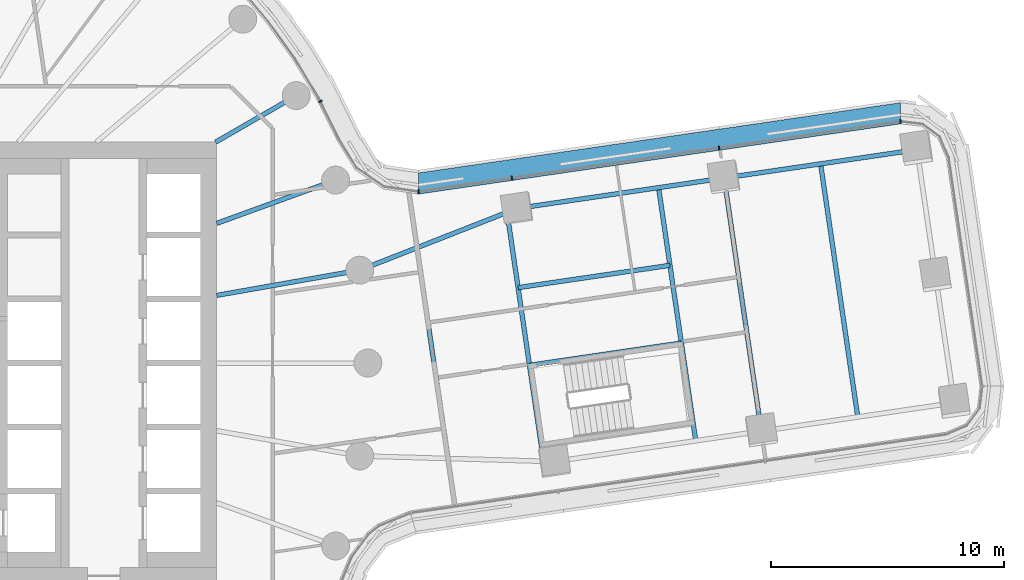
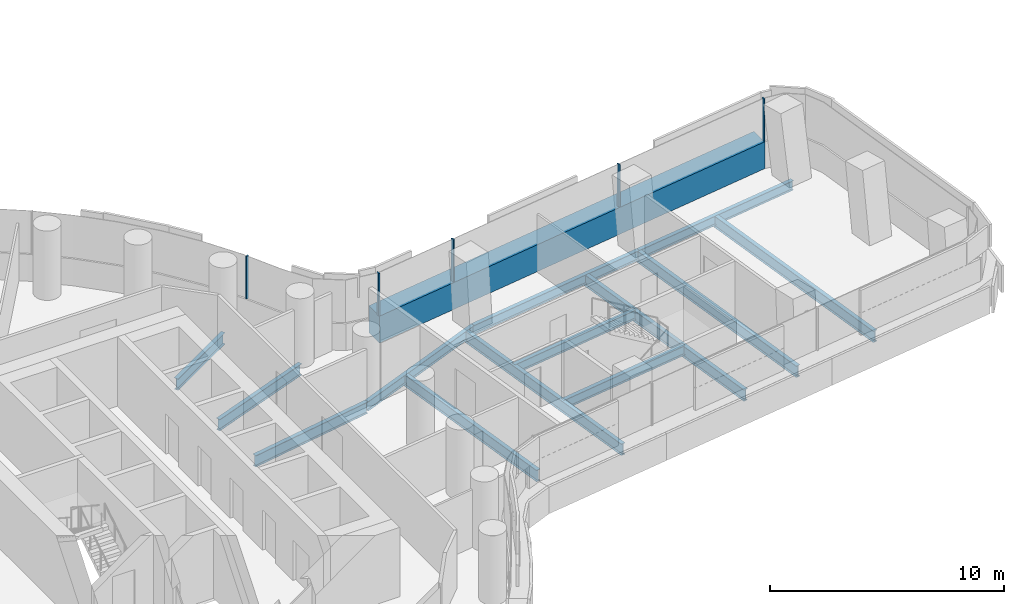
# One storey, part 11 of 31: 13 beams, 6 members, 2 elements without a shape of their own.
"""IFC4 building model written with IfcOpenShell, lengths in metres."""

from ifc_helpers import new_model, si_unit, direction, frame, origin, origin_2d, place, context, subcontext, project, spatial, polyline, rectangle, i_section, outline, extrude, material, layer, layer_set, material_profile, profile_set, type_object, element, aggregate, save


model = new_model("IFC4")

# Units and contexts
model_context = context("Model", 3, precision=1e-05, world=origin(), true_north=direction((0.0, 1.0)))
body_context = subcontext(model_context, "Body", "Model", "MODEL_VIEW")
ifc_project = project(units=[si_unit("LENGTHUNIT", "METRE"), si_unit("AREAUNIT", "SQUARE_METRE"), si_unit("VOLUMEUNIT", "CUBIC_METRE"), si_unit("PLANEANGLEUNIT", "RADIAN"), si_unit("MASSUNIT", "GRAM", prefix="KILO")], contexts=[model_context])

# Site, building, storey
site_placement = place(None, origin())
site = spatial("IfcSite", under=ifc_project, at=site_placement, CompositionType="ELEMENT")
building_placement = place(site_placement, origin())
building = spatial("IfcBuilding", under=site, at=building_placement, Name="Tamarind Cross Interchange Tower", CompositionType="ELEMENT")
storey_placement = place(building_placement, frame((0.0, 0.0, 64.0)))
storey = spatial("IfcBuildingStorey", under=building, at=storey_placement, Name="L14", CompositionType="ELEMENT", Elevation=64.0)

# Beams
ifc_material_1 = material(Name="Steel Q355B", Category="steel")
ifc_material_profile_1 = material_profile(ifc_material_1, i_section(OverallWidth=0.198974609375, OverallDepth=0.49609375, WebThickness=0.009033203125, FlangeThickness=0.013916015625, FilletRadius=0.012939453125, at=origin_2d()), Name="HN 496x199x9x14")
ifc_profile_set_1 = profile_set([ifc_material_profile_1], Name="Steel Q355B")
beam_type_1 = type_object("IfcBeamType", Name="Composite beam HN 496x199x9x14 Q355B", PredefinedType="BEAM", material=ifc_profile_set_1)
beam_1_placement = place(storey_placement, frame((46.6103515625, 9.175048828125, -0.387939453125), z_axis=(-0.989374789078, -0.145387505433, 0.0), x_axis=(0.145387505433, -0.989374789078, 0.0)))
element("IfcBeam", 1, at=beam_1_placement, inside=storey, type_object=beam_type_1, Name="Beam E-edgeep2", PredefinedType="BEAM", context=body_context, shape_type="SweptSolid", body=[
    extrude(i_section(OverallWidth=0.198974609375, OverallDepth=0.49609375, WebThickness=0.009033203125, FlangeThickness=0.013916015625, FilletRadius=0.012939453125, at=origin_2d()), origin(), (0.0, 0.0, 1.0), 8.3828125),
])
beam_2_placement = place(storey_placement, frame((38.316650390625, 7.956298828125, -0.387939453125), z_axis=(-0.989380715921, -0.14534716703, 0.0), x_axis=(0.14534716703, -0.989380715921, 0.0)))
element("IfcBeam", 2, at=beam_2_placement, inside=storey, type_object=beam_type_1, Name="Beam E-edgeep3", PredefinedType="BEAM", context=body_context, shape_type="SweptSolid", body=[
    extrude(i_section(OverallWidth=0.198974609375, OverallDepth=0.49609375, WebThickness=0.009033203125, FlangeThickness=0.013916015625, FilletRadius=0.012939453125, at=origin_2d()), origin(), (0.0, 0.0, 1.0), 8.999755859375),
])
beam_3_placement = place(storey_placement, frame((29.412353515625, 6.648193359375, -0.387939453125), z_axis=(-0.930849503248, -0.365402794602, 0.0), x_axis=(0.365402794602, -0.930849503248, 0.0)))
element("IfcBeam", 3, at=beam_3_placement, inside=storey, type_object=beam_type_1, Name="Beam E-linkep", PredefinedType="BEAM", context=body_context, shape_type="SweptSolid", body=[
    extrude(i_section(OverallWidth=0.198974609375, OverallDepth=0.49609375, WebThickness=0.009033203125, FlangeThickness=0.013916015625, FilletRadius=0.012939453125, at=origin_2d()), origin(), (0.0, 0.0, 1.0), 7.263916015625),
])
beam_4_placement = place(storey_placement, frame((29.9482421875, -0.095703125, -0.387939453125), z_axis=(0.989377137413, 0.14537152391, 0.0), x_axis=(-0.14537152391, 0.989377137413, 0.0)))
element("IfcBeam", 4, at=beam_4_placement, inside=storey, type_object=beam_type_1, Name="Beam E-tr1", PredefinedType="BEAM", context=body_context, shape_type="SweptSolid", body=[
    extrude(i_section(OverallWidth=0.198974609375, OverallDepth=0.49609375, WebThickness=0.009033203125, FlangeThickness=0.013916015625, FilletRadius=0.012939453125, at=origin_2d()), origin(), (0.0, 0.0, 1.0), 6.60009765625),
])
beam_5_placement = place(storey_placement, frame((29.457763671875, 3.24365234375, -0.387939453125), z_axis=(0.989381675612, 0.145340634244, 0.0), x_axis=(-0.145340634244, 0.989381675612, 0.0)))
element("IfcBeam", 5, at=beam_5_placement, inside=storey, type_object=beam_type_1, Name="Beam E-stripp", PredefinedType="BEAM", context=body_context, shape_type="SweptSolid", body=[
    extrude(i_section(OverallWidth=0.198974609375, OverallDepth=0.49609375, WebThickness=0.009033203125, FlangeThickness=0.013916015625, FilletRadius=0.012939453125, at=origin_2d()), origin(), (0.0, 0.0, 1.0), 6.599853515625),
])
ifc_material_profile_2 = material_profile(ifc_material_1, i_section(OverallWidth=0.198974609375, OverallDepth=0.595947265625, WebThickness=0.010009765625, FlangeThickness=0.014892578125, FilletRadius=0.012939453125, at=origin_2d()), Name="HN 596x199x10x15")
ifc_profile_set_2 = profile_set([ifc_material_profile_2], Name="Steel Q355B")
beam_type_2 = type_object("IfcBeamType", Name="Composite beam HN 596x199x10x15 Q355B", PredefinedType="BEAM", material=ifc_profile_set_2)
beam_6_placement = place(storey_placement, frame((22.650634765625, 3.993896484375, -0.43798828125), z_axis=(-0.984809127561, -0.173640382036, 0.0), x_axis=(0.173640382036, -0.984809127561, 0.0)))
element("IfcBeam", 6, at=beam_6_placement, inside=storey, type_object=beam_type_2, Name="Beam HH01", PredefinedType="BEAM", context=body_context, shape_type="SweptSolid", body=[
    extrude(i_section(OverallWidth=0.198974609375, OverallDepth=0.595947265625, WebThickness=0.010009765625, FlangeThickness=0.014892578125, FilletRadius=0.012939453125, at=origin_2d()), origin(), (0.0, 0.0, 1.0), 6.24560546875),
])
beam_7_placement = place(storey_placement, frame((21.613037109375, 7.866455078125, -0.43798828125), z_axis=(-0.939701685589, -0.341995236956, 0.0), x_axis=(0.341995236956, -0.939701685589, 0.0)))
element("IfcBeam", 7, at=beam_7_placement, inside=storey, type_object=beam_type_2, Name="Beam HH02", PredefinedType="BEAM", context=body_context, shape_type="SweptSolid", body=[
    extrude(i_section(OverallWidth=0.198974609375, OverallDepth=0.595947265625, WebThickness=0.010009765625, FlangeThickness=0.014892578125, FilletRadius=0.012939453125, at=origin_2d()), origin(), (0.0, 0.0, 1.0), 5.441162109375),
])
beam_8_placement = place(storey_placement, frame((19.918701171875, 11.5, -0.43798828125), z_axis=(-0.866026010844, -0.49999894854, 0.0), x_axis=(0.49999894854, -0.866026010844, 0.0)))
element("IfcBeam", 8, at=beam_8_placement, inside=storey, type_object=beam_type_2, Name="Beam HH03", PredefinedType="BEAM", context=body_context, shape_type="SweptSolid", body=[
    extrude(i_section(OverallWidth=0.198974609375, OverallDepth=0.595947265625, WebThickness=0.010009765625, FlangeThickness=0.014892578125, FilletRadius=0.012939453125, at=origin_2d()), origin(), (0.0, 0.0, 1.0), 4.0),
])
ifc_material_profile_3 = material_profile(ifc_material_1, i_section(OverallWidth=0.199951171875, OverallDepth=0.60009765625, WebThickness=0.010986328125, FlangeThickness=0.01708984375, FilletRadius=0.012939453125, at=origin_2d()), Name="HN 600x200x11x17")
ifc_profile_set_3 = profile_set([ifc_material_profile_3], Name="Steel Q355B")
beam_type_3 = type_object("IfcBeamType", Name="Composite beam HN 600x200x11x17 Q355B", PredefinedType="BEAM", material=ifc_profile_set_3)
beam_9_placement = place(storey_placement, frame((30.5546875, -4.221923828125, -0.43994140625), z_axis=(-0.145364023141, 0.98937823949, 0.0), x_axis=(-0.98937823949, -0.145364023141, 0.0)))
element("IfcBeam", 9, at=beam_9_placement, inside=storey, type_object=beam_type_3, Name="Beam E-x298", PredefinedType="BEAM", context=body_context, shape_type="SweptSolid", body=[
    extrude(i_section(OverallWidth=0.199951171875, OverallDepth=0.60009765625, WebThickness=0.010986328125, FlangeThickness=0.01708984375, FilletRadius=0.012939453125, at=origin_2d()), origin(), (0.0, 0.0, 1.0), 10.816162109375),
])
for number, where, z_axis, x_axis, name in (
    (10, (37.095947265625, -3.341064453125, -0.43994140625), (-0.14535405438, 0.989379704095, 0.0), (-0.989379704095, -0.14535405438, 0.0), "Beam E-x364"),
    (11, (39.915771484375, -2.9267578125, -0.43994140625), (-0.145375780194, 0.989376512018, 0.0), (-0.989376512018, -0.145375780194, 0.0), "Beam E-x393"),
):
    element("IfcBeam", number, at=place(storey_placement, frame(where, z_axis=z_axis, x_axis=x_axis)), inside=storey, type_object=beam_type_3, Name=name, PredefinedType="BEAM", context=body_context, shape_type="SweptSolid", body=[
        extrude(i_section(OverallWidth=0.199951171875, OverallDepth=0.60009765625, WebThickness=0.010986328125, FlangeThickness=0.01708984375, FilletRadius=0.012939453125, at=origin_2d()), origin(), (0.0, 0.0, 1.0), 11.0),
    ])
beam_10_placement = place(storey_placement, frame((26.443603515625, -4.103271484375, -0.43994140625), z_axis=(-0.145352814872, 0.989379886196, 0.0), x_axis=(-0.989379886196, -0.145352814872, 0.0)))
element("IfcBeam", 12, at=beam_10_placement, inside=storey, type_object=beam_type_3, Name="Beam E-x258", PredefinedType="BEAM", context=body_context, shape_type="SweptSolid", body=[
    extrude(i_section(OverallWidth=0.199951171875, OverallDepth=0.60009765625, WebThickness=0.010986328125, FlangeThickness=0.01708984375, FilletRadius=0.012939453125, at=origin_2d()), origin(), (0.0, 0.0, 1.0), 9.16064453125),
])
beam_11_placement = place(storey_placement, frame((44.0625, -2.3173828125, -0.43994140625), z_axis=(-0.14535405438, 0.989379704095, 0.0), x_axis=(-0.989379704095, -0.14535405438, 0.0)))
element("IfcBeam", 13, at=beam_11_placement, inside=storey, type_object=beam_type_3, Name="Beam E-x435", PredefinedType="BEAM", context=body_context, shape_type="SweptSolid", body=[
    extrude(i_section(OverallWidth=0.199951171875, OverallDepth=0.60009765625, WebThickness=0.010986328125, FlangeThickness=0.01708984375, FilletRadius=0.012939453125, at=origin_2d()), origin(), (0.0, 0.0, 1.0), 11.0),
])

# Curtain wall, members
ifc_material_2 = material(Name="Aluminium 6063-T6", Category="aluminium")
ifc_layer = layer(ifc_material_2, 0.159912109375)
ifc_layer_set = layer_set([ifc_layer], Name="Aluminium 6063-T6")
curtain_wall_type = type_object("IfcCurtainWallType", Name="Office curtain wall, 9.0 m bays", PredefinedType="NOTDEFINED", material=ifc_layer_set)
curtain_wall_1_placement = place(storey_placement, origin())
curtain_wall_1 = element("IfcCurtainWall", 14, at=curtain_wall_1_placement, inside=storey, type_object=curtain_wall_type, Name="CWS-L14-09", PredefinedType="NOTDEFINED")
ifc_material_3 = material(Name="Aluminium and insulated spandrel panel", Category="aluminium")
member_type_1 = type_object("IfcMemberType", Name="Floor-edge blade transom", PredefinedType="USERDEFINED", material=ifc_material_3)
member_1_placement = place(storey_placement, origin())
member_1 = element("IfcMember", 15, at=member_1_placement, type_object=member_type_1, Name="CWT-L14-09", ObjectType="TRANSOM", PredefinedType="USERDEFINED", context=body_context, shape_type="SweptSolid", body=[
    extrude(outline(polyline([(45.90185546875, 10.28369140625), (25.17724609375, 7.263916015625), (25.177978515625, 8.173583984375), (45.888916015625, 11.19140625), (45.90185546875, 10.28369140625)])), origin(), (0.0, 0.0, 1.0), 1.39990234375),
])
ifc_material_profile_4 = material_profile(ifc_material_2, rectangle(XDim=0.06005859375, YDim=0.159912109375, at=origin_2d()), Name="Mullion CW1")
ifc_profile_set_4 = profile_set([ifc_material_profile_4], Name="Aluminium 6063-T6")
member_type_2 = type_object("IfcMemberType", Name="Mullion CW1", PredefinedType="MULLION", material=ifc_profile_set_4)
member_2_placement = place(storey_placement, frame((45.900390625, 10.384521484375, 1.39990234375), z_axis=(0.0, 0.0, 1.0), x_axis=(-0.999896514109, -0.014386141659, 0.0)))
member_2 = element("IfcMember", 16, at=member_2_placement, type_object=member_type_2, Name="CWM-L14-09-00", PredefinedType="MULLION", context=body_context, shape_type="SweptSolid", body=[
    extrude(rectangle(XDim=0.06005859375, YDim=0.159912109375, at=origin_2d()), origin(), (0.0, 0.0, 1.0), 2.210205078125),
])
member_3_placement = place(storey_placement, frame((38.09912109375, 9.247802734375, 1.39990234375), z_axis=(0.0, 0.0, 1.0), x_axis=(-0.989550497642, -0.144186728298, 0.0)))
member_3 = element("IfcMember", 17, at=member_3_placement, type_object=member_type_2, Name="CWM-L14-09-01", PredefinedType="MULLION", context=body_context, shape_type="SweptSolid", body=[
    extrude(rectangle(XDim=0.06005859375, YDim=0.159912109375, at=origin_2d()), origin(), (0.0, 0.0, 1.0), 2.210205078125),
])
member_4_placement = place(storey_placement, frame((29.19189453125, 7.949951171875, 1.39990234375), z_axis=(0.0, 0.0, 1.0), x_axis=(-0.989550497642, -0.144186728298, 0.0)))
member_4 = element("IfcMember", 18, at=member_4_placement, type_object=member_type_2, Name="CWM-L14-09-02", PredefinedType="MULLION", context=body_context, shape_type="SweptSolid", body=[
    extrude(rectangle(XDim=0.06005859375, YDim=0.159912109375, at=origin_2d()), origin(), (0.0, 0.0, 1.0), 2.210205078125),
])
aggregate(curtain_wall_1, [member_2, member_3, member_4, member_1])

curtain_wall_2_placement = place(storey_placement, origin())
curtain_wall_2 = element("IfcCurtainWall", 19, at=curtain_wall_2_placement, inside=storey, type_object=curtain_wall_type, Name="CWS-L14-10", PredefinedType="NOTDEFINED")
member_5_placement = place(storey_placement, frame((25.17724609375, 7.364990234375, 1.39990234375), z_axis=(0.0, 0.0, 1.0), x_axis=(-0.999999542293, 0.000956772403, 0.0)))
member_5 = element("IfcMember", 20, at=member_5_placement, type_object=member_type_2, Name="CWM-L14-10-00", PredefinedType="MULLION", context=body_context, shape_type="SweptSolid", body=[
    extrude(rectangle(XDim=0.06005859375, YDim=0.159912109375, at=origin_2d()), origin(), (0.0, 0.0, 1.0), 2.210205078125),
])
member_6_placement = place(storey_placement, frame((20.95947265625, 11.252197265625, 1.39990234375), z_axis=(0.0, 0.0, 1.0), x_axis=(-0.443058811505, 0.896492548518, 0.0)))
member_6 = element("IfcMember", 21, at=member_6_placement, type_object=member_type_2, Name="CWM-L14-10-01", PredefinedType="MULLION", context=body_context, shape_type="SweptSolid", body=[
    extrude(rectangle(XDim=0.06005859375, YDim=0.159912109375, at=origin_2d()), origin(), (0.0, 0.0, 1.0), 2.210205078125),
])
aggregate(curtain_wall_2, [member_5, member_6])

save(model, "model.ifc")
